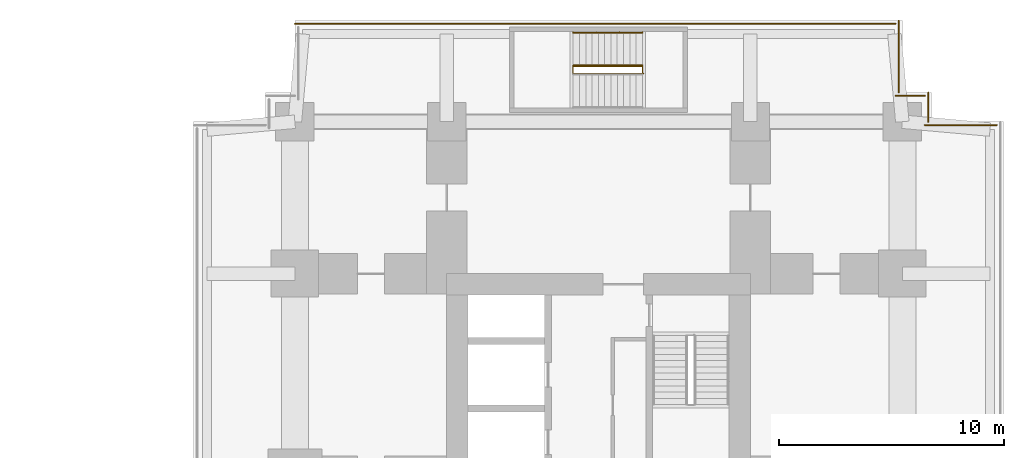
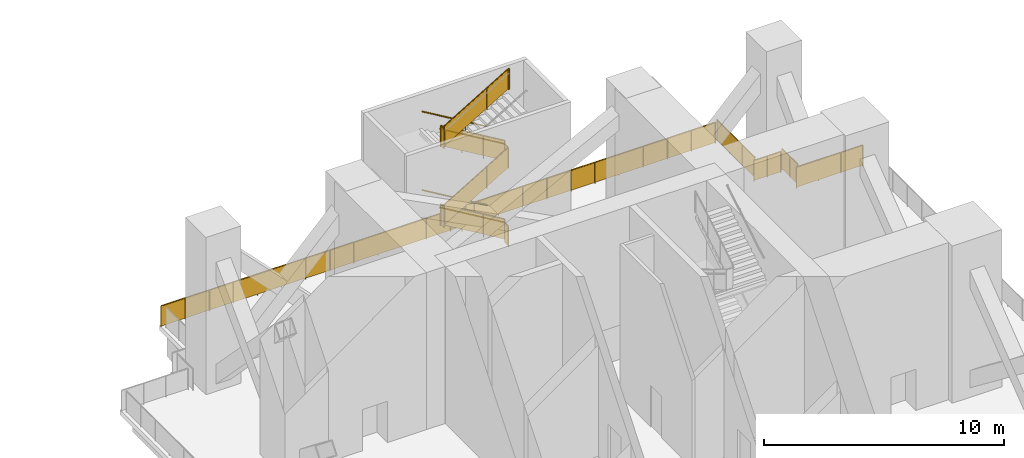
# One storey, part 12 of 12: 10 railings.
"""IFC4 building model written with IfcOpenShell, lengths in metres."""

from ifc_helpers import new_model, si_unit, direction, frame, origin, origin_2d, place, context, subcontext, project, spatial, polyline, circle, outline, extrude, material, type_object, element, save


model = new_model("IFC4")

# Units and contexts
model_context = context("Model", 3, precision=1e-05, world=origin(), true_north=direction((0.0, 1.0)))
body_context = subcontext(model_context, "Body", "Model", "MODEL_VIEW")
ifc_project = project(units=[si_unit("LENGTHUNIT", "METRE"), si_unit("AREAUNIT", "SQUARE_METRE"), si_unit("VOLUMEUNIT", "CUBIC_METRE"), si_unit("PLANEANGLEUNIT", "RADIAN"), si_unit("MASSUNIT", "GRAM", prefix="KILO")], contexts=[model_context])

# Site, building, storey
site_placement = place(None, origin())
site = spatial("IfcSite", under=ifc_project, at=site_placement, CompositionType="ELEMENT")
building_placement = place(site_placement, origin())
building = spatial("IfcBuilding", under=site, at=building_placement, Name="Namib Vertical Campus", CompositionType="ELEMENT")
storey_placement = place(building_placement, frame((0.0, 0.0, 77.0)))
storey = spatial("IfcBuildingStorey", under=building, at=storey_placement, Name="L18", CompositionType="ELEMENT", Elevation=77.0)

# Railings
ifc_material_1 = material(Name="Toughened glass balustrade", Category="glass")
railing_type_1 = type_object("IfcRailingType", Name="Edge guard 1100", PredefinedType="GUARDRAIL", material=ifc_material_1)
railing_1_placement = place(storey_placement, frame((98.699951171875, 35.85009765625, 0.0)))
element("IfcRailing", 1, at=railing_1_placement, inside=storey, type_object=railing_type_1, Name="Refuge edge guard GR2 B L18 7", PredefinedType="GUARDRAIL", context=body_context, shape_type="SweptSolid", body=[
    extrude(circle(Radius=0.02392578125, at=origin_2d()), frame((0.0, 0.0, 1.076171875), z_axis=(-1.0, 0.0, 0.0), x_axis=(0.0, -1.0, 0.0)), (0.0, 0.0, 1.0), 3.199951171875),
    extrude(outline(polyline([(0.02099609375, 0.050048828125), (3.178955078125, 0.050048828125), (3.178955078125, 1.052001953125), (0.02099609375, 1.052001953125), (0.02099609375, 0.050048828125)])), frame((0.0, -0.0107421875, 0.0), z_axis=(0.0, 1.0, 0.0), x_axis=(-1.0, 0.0, 0.0)), (0.0, 0.0, 1.0), 0.021484375),
    extrude(circle(Radius=0.02099609375, at=origin_2d()), origin(), (0.0, 0.0, 1.0), 1.052001953125),
    extrude(circle(Radius=0.02099609375, at=origin_2d()), frame((-1.066650390625, 0.0, 0.0)), (0.0, 0.0, 1.0), 1.052001953125),
    extrude(circle(Radius=0.02099609375, at=origin_2d()), frame((-2.13330078125, 0.0, 0.0)), (0.0, 0.0, 1.0), 1.052001953125),
    extrude(circle(Radius=0.02099609375, at=origin_2d()), frame((-3.199951171875, 0.0, 0.0)), (0.0, 0.0, 1.0), 1.052001953125),
])
railing_2_placement = place(storey_placement, frame((95.64990234375, 36.0, 0.0)))
element("IfcRailing", 2, at=railing_2_placement, inside=storey, type_object=railing_type_1, Name="Refuge edge guard GR2 B L18 8", PredefinedType="GUARDRAIL", context=body_context, shape_type="SweptSolid", body=[
    extrude(circle(Radius=0.02392578125, at=origin_2d()), frame((0.0, 0.0, 1.076171875), z_axis=(0.0, 1.0, 0.0), x_axis=(-1.0, 0.0, 0.0)), (0.0, 0.0, 1.0), 1.300048828125),
    extrude(outline(polyline([(0.02099609375, 0.050048828125), (1.279052734375, 0.050048828125), (1.279052734375, 1.052001953125), (0.02099609375, 1.052001953125), (0.02099609375, 0.050048828125)])), frame((-0.0107421875, 0.0, 0.0), z_axis=(1.0, 0.0, 0.0), x_axis=(0.0, 1.0, 0.0)), (0.0, 0.0, 1.0), 0.021484375),
    extrude(circle(Radius=0.02099609375, at=origin_2d()), origin(), (0.0, 0.0, 1.0), 1.052001953125),
    extrude(circle(Radius=0.02099609375, at=origin_2d()), frame((0.0, 0.64990234375, 0.0)), (0.0, 0.0, 1.0), 1.052001953125),
    extrude(circle(Radius=0.02099609375, at=origin_2d()), frame((0.0, 1.300048828125, 0.0)), (0.0, 0.0, 1.0), 1.052001953125),
])
railing_3_placement = place(storey_placement, frame((95.5, 37.14990234375, 0.0)))
element("IfcRailing", 3, at=railing_3_placement, inside=storey, type_object=railing_type_1, Name="Refuge edge guard GR2 B L18 9", PredefinedType="GUARDRAIL", context=body_context, shape_type="SweptSolid", body=[
    extrude(circle(Radius=0.02392578125, at=origin_2d()), frame((0.0, 0.0, 1.076171875), z_axis=(-1.0, 0.0, 0.0), x_axis=(0.0, -1.0, 0.0)), (0.0, 0.0, 1.0), 1.300048828125),
    extrude(outline(polyline([(0.02099609375, 0.050048828125), (1.279052734375, 0.050048828125), (1.279052734375, 1.052001953125), (0.02099609375, 1.052001953125), (0.02099609375, 0.050048828125)])), frame((0.0, -0.0107421875, 0.0), z_axis=(0.0, 1.0, 0.0), x_axis=(-1.0, 0.0, 0.0)), (0.0, 0.0, 1.0), 0.021484375),
    extrude(circle(Radius=0.02099609375, at=origin_2d()), origin(), (0.0, 0.0, 1.0), 1.052001953125),
    extrude(circle(Radius=0.02099609375, at=origin_2d()), frame((-0.64990234375, 0.0, 0.0)), (0.0, 0.0, 1.0), 1.052001953125),
    extrude(circle(Radius=0.02099609375, at=origin_2d()), frame((-1.300048828125, 0.0, 0.0)), (0.0, 0.0, 1.0), 1.052001953125),
])
railing_4_placement = place(storey_placement, frame((94.35009765625, 37.300048828125, 0.0)))
element("IfcRailing", 4, at=railing_4_placement, inside=storey, type_object=railing_type_1, Name="Refuge edge guard GR2 B L18 10", PredefinedType="GUARDRAIL", context=body_context, shape_type="SweptSolid", body=[
    extrude(circle(Radius=0.02392578125, at=origin_2d()), frame((0.0, 0.0, 1.076171875), z_axis=(0.0, 1.0, 0.0), x_axis=(-1.0, 0.0, 0.0)), (0.0, 0.0, 1.0), 3.199951171875),
    extrude(outline(polyline([(0.02099609375, 0.050048828125), (3.178955078125, 0.050048828125), (3.178955078125, 1.052001953125), (0.02099609375, 1.052001953125), (0.02099609375, 0.050048828125)])), frame((-0.0107421875, 0.0, 0.0), z_axis=(1.0, 0.0, 0.0), x_axis=(0.0, 1.0, 0.0)), (0.0, 0.0, 1.0), 0.021484375),
    extrude(circle(Radius=0.02099609375, at=origin_2d()), origin(), (0.0, 0.0, 1.0), 1.052001953125),
    extrude(circle(Radius=0.02099609375, at=origin_2d()), frame((0.0, 1.066650390625, 0.0)), (0.0, 0.0, 1.0), 1.052001953125),
    extrude(circle(Radius=0.02099609375, at=origin_2d()), frame((0.0, 2.13330078125, 0.0)), (0.0, 0.0, 1.0), 1.052001953125),
    extrude(circle(Radius=0.02099609375, at=origin_2d()), frame((0.0, 3.199951171875, 0.0)), (0.0, 0.0, 1.0), 1.052001953125),
])
railing_5_placement = place(storey_placement, frame((94.199951171875, 40.35009765625, 0.0)))
element("IfcRailing", 5, at=railing_5_placement, inside=storey, type_object=railing_type_1, Name="Refuge edge guard GR2 B L18 11", PredefinedType="GUARDRAIL", context=body_context, shape_type="SweptSolid", body=[
    extrude(circle(Radius=0.02392578125, at=origin_2d()), frame((0.0, 0.0, 1.076171875), z_axis=(-1.0, 0.0, 0.0), x_axis=(0.0, -1.0, 0.0)), (0.0, 0.0, 1.0), 26.699951171875),
    extrude(outline(polyline([(0.02099609375, 0.050048828125), (26.678955078125, 0.050048828125), (26.678955078125, 1.052001953125), (0.02099609375, 1.052001953125), (0.02099609375, 0.050048828125)])), frame((0.0, -0.0107421875, 0.0), z_axis=(0.0, 1.0, 0.0), x_axis=(-1.0, 0.0, 0.0)), (0.0, 0.0, 1.0), 0.021484375),
    extrude(circle(Radius=0.02099609375, at=origin_2d()), origin(), (0.0, 0.0, 1.0), 1.052001953125),
    extrude(circle(Radius=0.02099609375, at=origin_2d()), frame((-1.160888671875, 0.0, 0.0)), (0.0, 0.0, 1.0), 1.052001953125),
    extrude(circle(Radius=0.02099609375, at=origin_2d()), frame((-2.32177734375, 0.0, 0.0)), (0.0, 0.0, 1.0), 1.052001953125),
    extrude(circle(Radius=0.02099609375, at=origin_2d()), frame((-3.482666015625, 0.0, 0.0)), (0.0, 0.0, 1.0), 1.052001953125),
    extrude(circle(Radius=0.02099609375, at=origin_2d()), frame((-4.6435546875, 0.0, 0.0)), (0.0, 0.0, 1.0), 1.052001953125),
    extrude(circle(Radius=0.02099609375, at=origin_2d()), frame((-5.804443359375, 0.0, 0.0)), (0.0, 0.0, 1.0), 1.052001953125),
    extrude(circle(Radius=0.02099609375, at=origin_2d()), frame((-6.965087890625, 0.0, 0.0)), (0.0, 0.0, 1.0), 1.052001953125),
    extrude(circle(Radius=0.02099609375, at=origin_2d()), frame((-8.1259765625, 0.0, 0.0)), (0.0, 0.0, 1.0), 1.052001953125),
    extrude(circle(Radius=0.02099609375, at=origin_2d()), frame((-9.286865234375, 0.0, 0.0)), (0.0, 0.0, 1.0), 1.052001953125),
    extrude(circle(Radius=0.02099609375, at=origin_2d()), frame((-10.44775390625, 0.0, 0.0)), (0.0, 0.0, 1.0), 1.052001953125),
    extrude(circle(Radius=0.02099609375, at=origin_2d()), frame((-11.608642578125, 0.0, 0.0)), (0.0, 0.0, 1.0), 1.052001953125),
    extrude(circle(Radius=0.02099609375, at=origin_2d()), frame((-12.76953125, 0.0, 0.0)), (0.0, 0.0, 1.0), 1.052001953125),
    extrude(circle(Radius=0.02099609375, at=origin_2d()), frame((-13.930419921875, 0.0, 0.0)), (0.0, 0.0, 1.0), 1.052001953125),
    extrude(circle(Radius=0.02099609375, at=origin_2d()), frame((-15.09130859375, 0.0, 0.0)), (0.0, 0.0, 1.0), 1.052001953125),
    extrude(circle(Radius=0.02099609375, at=origin_2d()), frame((-16.252197265625, 0.0, 0.0)), (0.0, 0.0, 1.0), 1.052001953125),
    extrude(circle(Radius=0.02099609375, at=origin_2d()), frame((-17.4130859375, 0.0, 0.0)), (0.0, 0.0, 1.0), 1.052001953125),
    extrude(circle(Radius=0.02099609375, at=origin_2d()), frame((-18.573974609375, 0.0, 0.0)), (0.0, 0.0, 1.0), 1.052001953125),
    extrude(circle(Radius=0.02099609375, at=origin_2d()), frame((-19.73486328125, 0.0, 0.0)), (0.0, 0.0, 1.0), 1.052001953125),
    extrude(circle(Radius=0.02099609375, at=origin_2d()), frame((-20.8955078125, 0.0, 0.0)), (0.0, 0.0, 1.0), 1.052001953125),
    extrude(circle(Radius=0.02099609375, at=origin_2d()), frame((-22.056396484375, 0.0, 0.0)), (0.0, 0.0, 1.0), 1.052001953125),
    extrude(circle(Radius=0.02099609375, at=origin_2d()), frame((-23.21728515625, 0.0, 0.0)), (0.0, 0.0, 1.0), 1.052001953125),
    extrude(circle(Radius=0.02099609375, at=origin_2d()), frame((-24.378173828125, 0.0, 0.0)), (0.0, 0.0, 1.0), 1.052001953125),
    extrude(circle(Radius=0.02099609375, at=origin_2d()), frame((-25.5390625, 0.0, 0.0)), (0.0, 0.0, 1.0), 1.052001953125),
    extrude(circle(Radius=0.02099609375, at=origin_2d()), frame((-26.699951171875, 0.0, 0.0)), (0.0, 0.0, 1.0), 1.052001953125),
])
ifc_material_2 = material(Name="Steel handrail", Category="steel")
railing_type_2 = type_object("IfcRailingType", Name="Handrail 900", PredefinedType="HANDRAIL", material=ifc_material_2)
for number, where, name in (
    (6, (82.949951171875, 39.949951171875, 0.166748046875), "Handrail HR1 B-S3 L18 1"),
    (7, (82.949951171875, 39.949951171875, 4.166748046875), "Handrail HR1 B-S3 L18 3"),
):
    element("IfcRailing", number, at=place(storey_placement, frame(where)), inside=storey, type_object=railing_type_2, Name=name, PredefinedType="HANDRAIL", context=body_context, shape_type="SweptSolid", body=[
        extrude(circle(Radius=0.02392578125, at=origin_2d()), frame((0.0, 0.0, 0.8759765625), z_axis=(-0.859290745958, 0.0, 0.51148745235), x_axis=(0.0, -1.0, 0.0)), (0.0, 0.0, 1.0), 3.584228515625),
        extrude(circle(Radius=0.008056640625, at=origin_2d()), frame((0.0, 0.0, 0.8759765625), z_axis=(0.0, 1.0, 0.0), x_axis=(0.0, 0.0, 1.0)), (0.0, 0.0, 1.0), 0.050048828125),
        extrude(circle(Radius=0.008056640625, at=origin_2d()), frame((-1.026611328125, 0.0, 1.48681640625), z_axis=(0.0, 1.0, 0.0), x_axis=(0.0, 0.0, 1.0)), (0.0, 0.0, 1.0), 0.050048828125),
        extrude(circle(Radius=0.008056640625, at=origin_2d()), frame((-2.05322265625, 0.0, 2.09814453125), z_axis=(0.0, 1.0, 0.0), x_axis=(0.0, 0.0, 1.0)), (0.0, 0.0, 1.0), 0.050048828125),
        extrude(circle(Radius=0.008056640625, at=origin_2d()), frame((-3.079833984375, 0.0, 2.708984375), z_axis=(0.0, 1.0, 0.0), x_axis=(0.0, 0.0, 1.0)), (0.0, 0.0, 1.0), 0.050048828125),
    ])
for number, where, name in (
    (8, (82.949951171875, 38.5, 0.166748046875), "Handrail HR1 B-S3 L18 1 at the well"),
    (9, (82.949951171875, 38.5, 4.166748046875), "Handrail HR1 B-S3 L18 3 at the well"),
):
    element("IfcRailing", number, at=place(storey_placement, frame(where)), inside=storey, type_object=railing_type_2, Name=name, PredefinedType="HANDRAIL", context=body_context, shape_type="SweptSolid", body=[
        extrude(circle(Radius=0.02392578125, at=origin_2d()), frame((0.0, 0.0, 0.8759765625), z_axis=(-0.859290745958, 0.0, 0.51148745235), x_axis=(0.0, -1.0, 0.0)), (0.0, 0.0, 1.0), 3.584228515625),
        extrude(circle(Radius=0.008056640625, at=origin_2d()), frame((0.0, 0.0, 0.8759765625), z_axis=(0.0, -1.0, 0.0), x_axis=(0.0, 0.0, 1.0)), (0.0, 0.0, 1.0), 0.0400390625),
        extrude(circle(Radius=0.008056640625, at=origin_2d()), frame((-1.026611328125, 0.0, 1.48681640625), z_axis=(0.0, -1.0, 0.0), x_axis=(0.0, 0.0, 1.0)), (0.0, 0.0, 1.0), 0.0400390625),
        extrude(circle(Radius=0.008056640625, at=origin_2d()), frame((-2.05322265625, 0.0, 2.09814453125), z_axis=(0.0, -1.0, 0.0), x_axis=(0.0, 0.0, 1.0)), (0.0, 0.0, 1.0), 0.0400390625),
        extrude(circle(Radius=0.008056640625, at=origin_2d()), frame((-3.079833984375, 0.0, 2.708984375), z_axis=(0.0, -1.0, 0.0), x_axis=(0.0, 0.0, 1.0)), (0.0, 0.0, 1.0), 0.0400390625),
    ])
ifc_material_3 = material(Name="Steel balustrade", Category="steel")
railing_type_3 = type_object("IfcRailingType", Name="Stair guard 1100", PredefinedType="GUARDRAIL", material=ifc_material_3)
railing_6_placement = place(storey_placement, frame((82.949951171875, 38.14990234375, 0.0)))
element("IfcRailing", 10, at=railing_6_placement, inside=storey, type_object=railing_type_3, Name="Stair guard GR1 B-S3 L18", PredefinedType="GUARDRAIL", context=body_context, shape_type="SweptSolid", body=[
    extrude(circle(Radius=0.02392578125, at=origin_2d()), frame((0.0, 0.0, 1.076171875), z_axis=(0.0, 1.0, 0.0), x_axis=(-1.0, 0.0, 0.0)), (0.0, 0.0, 1.0), 0.300048828125),
    extrude(outline(polyline([(0.02099609375, 0.050048828125), (0.279052734375, 0.050048828125), (0.279052734375, 1.052001953125), (0.02099609375, 1.052001953125), (0.02099609375, 0.050048828125)])), frame((-0.010009765625, 0.0, 0.0), z_axis=(1.0, 0.0, 0.0), x_axis=(0.0, 1.0, 0.0)), (0.0, 0.0, 1.0), 0.02001953125),
    extrude(circle(Radius=0.02392578125, at=origin_2d()), frame((0.0, 0.300048828125, 1.076171875), z_axis=(0.0, 0.0, 1.0), x_axis=(1.0, 0.0, 0.0)), (0.0, 0.0, 1.0), 0.166748046875),
    extrude(circle(Radius=0.02392578125, at=origin_2d()), frame((0.0, 0.300048828125, 1.24267578125), z_axis=(-0.859290745958, 0.0, 0.51148745235), x_axis=(0.0, -1.0, 0.0)), (0.0, 0.0, 1.0), 3.584228515625),
    extrude(outline(polyline([(0.02099609375, 0.0625), (3.058837890625, 1.870849609375), (3.058837890625, 2.872802734375), (0.02099609375, 1.064453125), (0.02099609375, 0.0625)])), frame((0.0, 0.2900390625, 0.166748046875), z_axis=(0.0, 1.0, 0.0), x_axis=(-1.0, 0.0, 0.0)), (0.0, 0.0, 1.0), 0.02001953125),
    extrude(circle(Radius=0.02392578125, at=origin_2d()), frame((-3.079833984375, 0.300048828125, 3.076171875), z_axis=(0.0, -1.0, 0.0), x_axis=(1.0, 0.0, 0.0)), (0.0, 0.0, 1.0), 0.300048828125),
    extrude(outline(polyline([(0.02099609375, 0.050048828125), (0.279052734375, 0.050048828125), (0.279052734375, 1.052001953125), (0.02099609375, 1.052001953125), (0.02099609375, 0.050048828125)])), frame((-3.06982421875, 0.300048828125, 2.0), z_axis=(-1.0, 0.0, 0.0), x_axis=(0.0, -1.0, 0.0)), (0.0, 0.0, 1.0), 0.02001953125),
    extrude(circle(Radius=0.02392578125, at=origin_2d()), frame((-3.079833984375, 0.0, 3.076171875), z_axis=(0.0, 0.0, 1.0), x_axis=(1.0, 0.0, 0.0)), (0.0, 0.0, 1.0), 0.166748046875),
    extrude(circle(Radius=0.02392578125, at=origin_2d()), frame((-3.079833984375, 0.0, 3.24267578125), z_axis=(0.859290745958, 0.0, 0.51148745235), x_axis=(0.0, 1.0, 0.0)), (0.0, 0.0, 1.0), 3.584228515625),
    extrude(outline(polyline([(0.02099609375, 0.0625), (3.058837890625, 1.870849609375), (3.058837890625, 2.872802734375), (0.02099609375, 1.064453125), (0.02099609375, 0.0625)])), frame((-3.079833984375, 0.010009765625, 2.166748046875), z_axis=(0.0, -1.0, 0.0), x_axis=(1.0, 0.0, 0.0)), (0.0, 0.0, 1.0), 0.02001953125),
    extrude(circle(Radius=0.02392578125, at=origin_2d()), frame((0.0, 0.0, 5.076171875), z_axis=(0.0, 1.0, 0.0), x_axis=(-1.0, 0.0, 0.0)), (0.0, 0.0, 1.0), 0.300048828125),
    extrude(outline(polyline([(0.02099609375, 0.050048828125), (0.279052734375, 0.050048828125), (0.279052734375, 1.052001953125), (0.02099609375, 1.052001953125), (0.02099609375, 0.050048828125)])), frame((-0.010009765625, 0.0, 4.0), z_axis=(1.0, 0.0, 0.0), x_axis=(0.0, 1.0, 0.0)), (0.0, 0.0, 1.0), 0.02001953125),
    extrude(circle(Radius=0.02392578125, at=origin_2d()), frame((0.0, 0.300048828125, 5.076171875), z_axis=(0.0, 0.0, 1.0), x_axis=(1.0, 0.0, 0.0)), (0.0, 0.0, 1.0), 0.166748046875),
    extrude(circle(Radius=0.02392578125, at=origin_2d()), frame((0.0, 0.300048828125, 5.24267578125), z_axis=(-0.859290745958, 0.0, 0.51148745235), x_axis=(0.0, -1.0, 0.0)), (0.0, 0.0, 1.0), 3.584228515625),
    extrude(outline(polyline([(0.02099609375, 0.0625), (3.058837890625, 1.870849609375), (3.058837890625, 2.872802734375), (0.02099609375, 1.064453125), (0.02099609375, 0.0625)])), frame((0.0, 0.2900390625, 4.166748046875), z_axis=(0.0, 1.0, 0.0), x_axis=(-1.0, 0.0, 0.0)), (0.0, 0.0, 1.0), 0.02001953125),
    extrude(circle(Radius=0.02392578125, at=origin_2d()), frame((-3.079833984375, 0.300048828125, 7.076171875), z_axis=(0.0, -1.0, 0.0), x_axis=(1.0, 0.0, 0.0)), (0.0, 0.0, 1.0), 0.300048828125),
    extrude(outline(polyline([(0.02099609375, 0.050048828125), (0.279052734375, 0.050048828125), (0.279052734375, 1.052001953125), (0.02099609375, 1.052001953125), (0.02099609375, 0.050048828125)])), frame((-3.06982421875, 0.300048828125, 6.0), z_axis=(-1.0, 0.0, 0.0), x_axis=(0.0, -1.0, 0.0)), (0.0, 0.0, 1.0), 0.02001953125),
    extrude(circle(Radius=0.02392578125, at=origin_2d()), frame((-3.079833984375, 0.0, 7.076171875), z_axis=(0.0, 0.0, 1.0), x_axis=(1.0, 0.0, 0.0)), (0.0, 0.0, 1.0), 0.166748046875),
    extrude(circle(Radius=0.02392578125, at=origin_2d()), frame((-3.079833984375, 0.0, 7.24267578125), z_axis=(0.859290745958, 0.0, 0.51148745235), x_axis=(0.0, 1.0, 0.0)), (0.0, 0.0, 1.0), 3.584228515625),
    extrude(outline(polyline([(0.02099609375, 0.0625), (3.058837890625, 1.870849609375), (3.058837890625, 2.872802734375), (0.02099609375, 1.064453125), (0.02099609375, 0.0625)])), frame((-3.079833984375, 0.010009765625, 6.166748046875), z_axis=(0.0, -1.0, 0.0), x_axis=(1.0, 0.0, 0.0)), (0.0, 0.0, 1.0), 0.02001953125),
    extrude(circle(Radius=0.02392578125, at=origin_2d()), frame((0.0, 0.0, 9.076171875), z_axis=(1.0, 0.0, 0.0), x_axis=(0.0, 1.0, 0.0)), (0.0, 0.0, 1.0), 0.050048828125),
    extrude(outline(polyline([(0.02099609375, 0.050048828125), (0.029052734375, 0.050048828125), (0.029052734375, 1.052001953125), (0.02099609375, 1.052001953125), (0.02099609375, 0.050048828125)])), frame((0.0, 0.010009765625, 8.0), z_axis=(0.0, -1.0, 0.0), x_axis=(1.0, 0.0, 0.0)), (0.0, 0.0, 1.0), 0.02001953125),
    extrude(circle(Radius=0.02099609375, at=origin_2d()), origin(), (0.0, 0.0, 1.0), 1.052001953125),
    extrude(circle(Radius=0.02099609375, at=origin_2d()), frame((0.0, 0.300048828125, 0.166748046875)), (0.0, 0.0, 1.0), 1.052001953125),
    extrude(circle(Radius=0.02099609375, at=origin_2d()), frame((-1.026611328125, 0.300048828125, 0.666748046875)), (0.0, 0.0, 1.0), 1.1630859375),
    extrude(circle(Radius=0.02099609375, at=origin_2d()), frame((-2.05322265625, 0.300048828125, 1.33349609375)), (0.0, 0.0, 1.0), 1.107421875),
    extrude(circle(Radius=0.02099609375, at=origin_2d()), frame((-3.079833984375, 0.300048828125, 2.0)), (0.0, 0.0, 1.0), 1.052001953125),
    extrude(circle(Radius=0.02099609375, at=origin_2d()), frame((-3.079833984375, 0.0, 2.166748046875)), (0.0, 0.0, 1.0), 1.052001953125),
    extrude(circle(Radius=0.02099609375, at=origin_2d()), frame((-2.05322265625, 0.0, 2.666748046875)), (0.0, 0.0, 1.0), 1.1630859375),
    extrude(circle(Radius=0.02099609375, at=origin_2d()), frame((-1.026611328125, 0.0, 3.33349609375)), (0.0, 0.0, 1.0), 1.107421875),
    extrude(circle(Radius=0.02099609375, at=origin_2d()), frame((0.0, 0.0, 4.0)), (0.0, 0.0, 1.0), 1.052001953125),
    extrude(circle(Radius=0.02099609375, at=origin_2d()), frame((0.0, 0.300048828125, 4.166748046875)), (0.0, 0.0, 1.0), 1.052001953125),
    extrude(circle(Radius=0.02099609375, at=origin_2d()), frame((-1.026611328125, 0.300048828125, 4.666748046875)), (0.0, 0.0, 1.0), 1.1630859375),
    extrude(circle(Radius=0.02099609375, at=origin_2d()), frame((-2.05322265625, 0.300048828125, 5.33349609375)), (0.0, 0.0, 1.0), 1.107421875),
    extrude(circle(Radius=0.02099609375, at=origin_2d()), frame((-3.079833984375, 0.300048828125, 6.0)), (0.0, 0.0, 1.0), 1.052001953125),
    extrude(circle(Radius=0.02099609375, at=origin_2d()), frame((-3.079833984375, 0.0, 6.166748046875)), (0.0, 0.0, 1.0), 1.052001953125),
    extrude(circle(Radius=0.02099609375, at=origin_2d()), frame((-2.05322265625, 0.0, 6.666748046875)), (0.0, 0.0, 1.0), 1.1630859375),
    extrude(circle(Radius=0.02099609375, at=origin_2d()), frame((-1.026611328125, 0.0, 7.33349609375)), (0.0, 0.0, 1.0), 1.107421875),
    extrude(circle(Radius=0.02099609375, at=origin_2d()), frame((0.0, 0.0, 8.0)), (0.0, 0.0, 1.0), 1.052001953125),
    extrude(circle(Radius=0.02099609375, at=origin_2d()), frame((0.050048828125, 0.0, 8.0)), (0.0, 0.0, 1.0), 1.052001953125),
])

save(model, "model.ifc")
